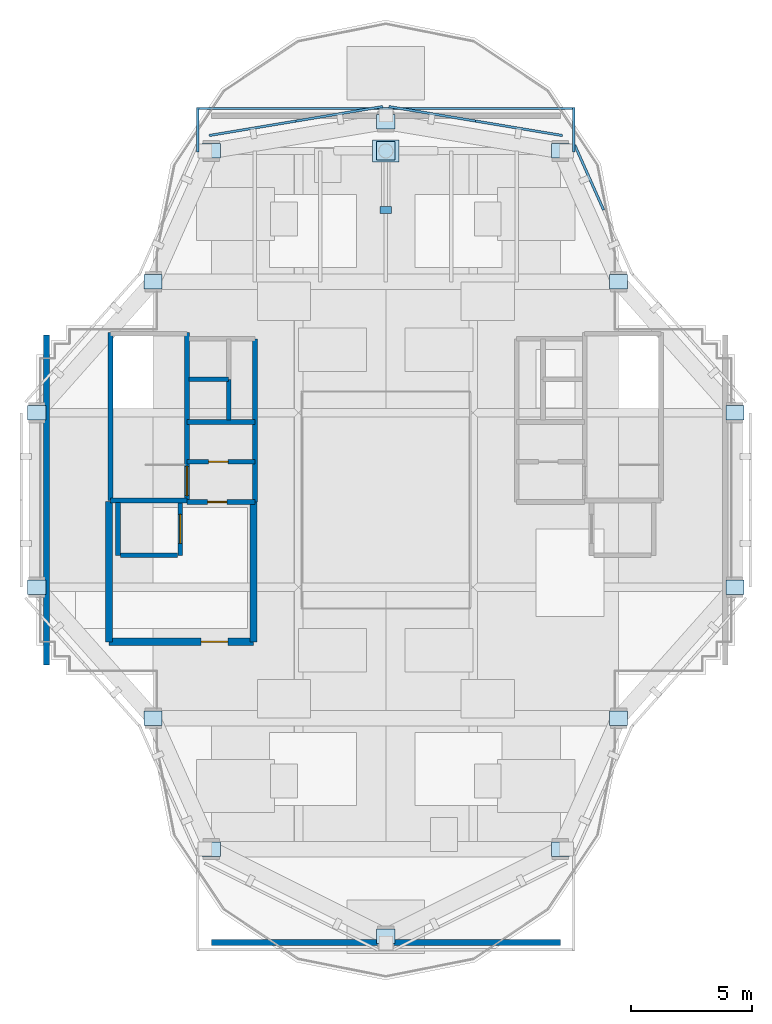
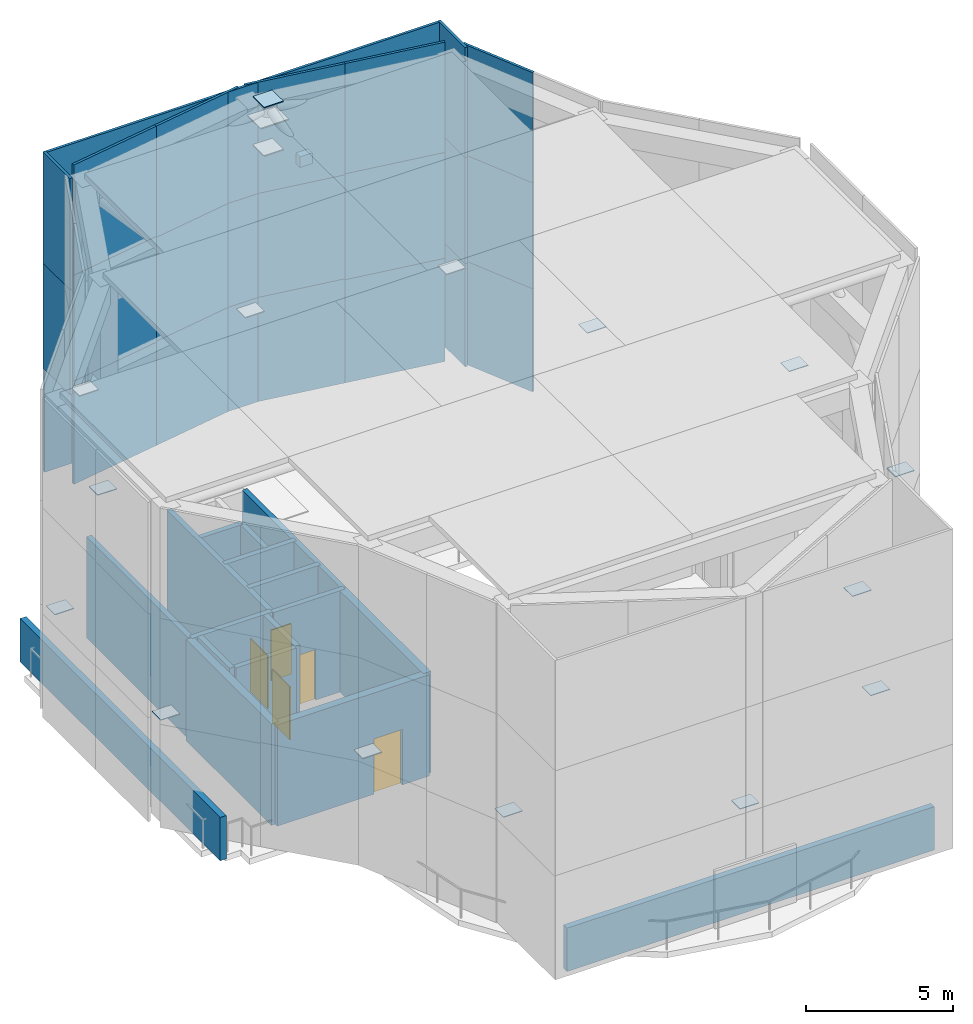
# One storey, part 4 of 8: 41 plates, 17 walls, 5 doors, 5 openings.
"""IFC4 building model written with IfcOpenShell, lengths in metres."""

from ifc_helpers import new_model, si_unit, direction, frame, frame_2d, origin, origin_2d, place, context, subcontext, project, spatial, rectangle, extrude, source, transform, mapped, material, layer, layer_set, type_object, element, fill, save


model = new_model("IFC4")

# Units and contexts
model_context = context("Model", 3, precision=1e-05, world=origin(), true_north=direction((0.0, 1.0)))
body_context = subcontext(model_context, "Body", "Model", "MODEL_VIEW")
ifc_project = project(units=[si_unit("LENGTHUNIT", "METRE"), si_unit("AREAUNIT", "SQUARE_METRE"), si_unit("VOLUMEUNIT", "CUBIC_METRE"), si_unit("PLANEANGLEUNIT", "RADIAN"), si_unit("MASSUNIT", "GRAM", prefix="KILO")], contexts=[model_context])

# Site, building, storey
site_placement = place(None, origin())
site = spatial("IfcSite", under=ifc_project, at=site_placement, CompositionType="ELEMENT")
building_placement = place(site_placement, origin())
building = spatial("IfcBuilding", under=site, at=building_placement, Name="Keilestroom Media Tower", CompositionType="ELEMENT")
storey_placement = place(building_placement, frame((0.0, 0.0, 271.60009765625)))
storey = spatial("IfcBuildingStorey", under=building, at=storey_placement, Name="Roof", CompositionType="ELEMENT", Elevation=271.60009765625)

# Plates
ifc_material_1 = material(Name="Steel S460", Category="steel")
ifc_layer_1 = layer(ifc_material_1, 0.028076171875)
ifc_layer_set_1 = layer_set([ifc_layer_1], Name="Steel S460")
plate_type_1 = type_object("IfcPlateType", Name="Structural-Gusset-And-Cap-Plate-ND-08", PredefinedType="SHEET", material=ifc_layer_set_1)
shared_shape_1 = source(origin(), body_context, "Body", "SweptSolid", [
    extrude(rectangle(XDim=0.75, YDim=0.60009765625, at=origin_2d()), origin(), (0.0, 0.0, 1.0), 0.028076171875),
])
for number, where, z_axis, x_axis, name in (
    (1, (-14.39990234375, 3.60009765625, 4.28564453125), (0.0, 0.0, 1.0), (1.0, 0.0, 0.0), "Crown Frame Node Cap ND-08 01"),
    (2, (-9.60009765625, 9.0, 4.28564453125), (0.0, 0.0, 1.0), (1.0, 0.0, 0.0), "Crown Frame Node Cap ND-08 02"),
    (3, (-7.199951171875, 14.39990234375, 4.28564453125), (0.0, 0.0, 1.0), (1.0, 0.0, 0.0), "Crown Frame Node Cap ND-08 03"),
    (4, (0.0, 15.60009765625, 4.28564453125), (0.0, 0.0, 1.0), (1.0, 0.0, 0.0), "Crown Frame Node Cap ND-08 04"),
    (5, (7.199951171875, 14.39990234375, 4.28564453125), (0.0, 0.0, 1.0), (1.0, 0.0, 0.0), "Crown Frame Node Cap ND-08 05"),
    (6, (9.60009765625, 9.0, 4.28564453125), (0.0, 0.0, 1.0), (1.0, 0.0, 0.0), "Crown Frame Node Cap ND-08 06"),
    (7, (14.39990234375, 3.60009765625, 4.28564453125), (0.0, 0.0, 1.0), (1.0, 0.0, 0.0), "Crown Frame Node Cap ND-08 07"),
    (8, (14.39990234375, -3.60009765625, 4.28564453125), (0.0, 0.0, 1.0), (1.0, 0.0, 0.0), "Crown Frame Node Cap ND-08 08"),
    (9, (9.60009765625, -9.0, 4.28564453125), (0.0, 0.0, 1.0), (1.0, 0.0, 0.0), "Crown Frame Node Cap ND-08 09"),
    (10, (7.199951171875, -14.39990234375, 4.28564453125), (0.0, 0.0, 1.0), (1.0, 0.0, 0.0), "Crown Frame Node Cap ND-08 10"),
    (11, (0.0, -18.0, 4.28564453125), (0.0, 0.0, 1.0), (1.0, 0.0, 0.0), "Crown Frame Node Cap ND-08 11"),
    (12, (-7.199951171875, -14.39990234375, 4.28564453125), (0.0, 0.0, 1.0), (1.0, 0.0, 0.0), "Crown Frame Node Cap ND-08 12"),
    (13, (-9.60009765625, -9.0, 4.28564453125), (0.0, 0.0, 1.0), (1.0, 0.0, 0.0), "Crown Frame Node Cap ND-08 13"),
    (14, (-14.39990234375, -3.60009765625, 4.28564453125), (0.0, 0.0, 1.0), (1.0, 0.0, 0.0), "Crown Frame Node Cap ND-08 14"),
):
    element("IfcPlate", number, at=place(storey_placement, frame(where, z_axis=z_axis, x_axis=x_axis)), inside=storey, type_object=plate_type_1, Name=name, PredefinedType="SHEET", context=body_context, shape_type="MappedRepresentation", body=[
        mapped(shared_shape_1, transform((0.0, 0.0, 0.0), x_axis=(1.0, 0.0, 0.0), y_axis=(0.0, 1.0, 0.0), z_axis=(0.0, 0.0, 1.0), scale=1.0)),
    ])
ifc_material_2 = material(Name="Bronze Anodised Aluminium", Category="aluminium")
ifc_layer_2 = layer(ifc_material_2, 0.10009765625)
ifc_layer_set_2 = layer_set([ifc_layer_2], Name="Bronze Anodised Aluminium")
plate_type_2 = type_object("IfcPlateType", Name="Crown-Louvre-Screen-Panel-100", PredefinedType="USERDEFINED", material=ifc_layer_set_2)
shared_shape_2 = source(origin(), body_context, "Body", "SweptSolid", [
    extrude(rectangle(XDim=2.93505859375, YDim=0.10009765625, at=origin_2d()), origin(), (0.0, 0.0, 1.0), 4.320068359375),
])
plate_1_placement = place(storey_placement, frame((8.388916015625, 13.30078125, 0.0), z_axis=(0.0, 0.0, 1.0), x_axis=(0.406138641898, -0.913811470467, 0.0)))
element("IfcPlate", 15, at=plate_1_placement, inside=storey, type_object=plate_type_2, Name="Crown Louvre Screen Panel 06.1.1", ObjectType="SCREEN", PredefinedType="USERDEFINED", context=body_context, shape_type="MappedRepresentation", body=[
    mapped(shared_shape_2, transform((0.0, 0.0, 0.0), x_axis=(1.0, 0.0, 0.0), y_axis=(0.0, 1.0, 0.0), z_axis=(0.0, 0.0, 1.0), scale=1.0)),
])
shared_shape_3 = source(origin(), body_context, "Body", "SweptSolid", [
    extrude(rectangle(XDim=2.93505859375, YDim=0.10009765625, at=origin_2d()), origin(), (0.0, 0.0, 1.0), 4.389892578125),
])
plate_2_placement = place(storey_placement, frame((8.388916015625, 13.30078125, 4.27978515625), z_axis=(0.0, 0.0, 1.0), x_axis=(0.406138641898, -0.913811470467, 0.0)))
element("IfcPlate", 16, at=plate_2_placement, inside=storey, type_object=plate_type_2, Name="Crown Louvre Screen Panel 06.1.2", ObjectType="SCREEN", PredefinedType="USERDEFINED", context=body_context, shape_type="MappedRepresentation", body=[
    mapped(shared_shape_3, transform((0.0, 0.0, 0.0), x_axis=(1.0, 0.0, 0.0), y_axis=(0.0, 1.0, 0.0), z_axis=(0.0, 0.0, 1.0), scale=1.0)),
])
shared_shape_4 = source(origin(), body_context, "Body", "SweptSolid", [
    extrude(rectangle(XDim=2.93505859375, YDim=0.10009765625, at=origin_2d()), origin(), (0.0, 0.0, 1.0), 4.610107421875),
])
plate_3_placement = place(storey_placement, frame((8.388916015625, 13.30078125, 8.6298828125), z_axis=(0.0, 0.0, 1.0), x_axis=(0.406138641898, -0.913811470467, 0.0)))
element("IfcPlate", 17, at=plate_3_placement, inside=storey, type_object=plate_type_2, Name="Crown Louvre Screen Panel 06.1.3", ObjectType="SCREEN", PredefinedType="USERDEFINED", context=body_context, shape_type="MappedRepresentation", body=[
    mapped(shared_shape_4, transform((0.0, 0.0, 0.0), x_axis=(1.0, 0.0, 0.0), y_axis=(0.0, 1.0, 0.0), z_axis=(0.0, 0.0, 1.0), scale=1.0)),
])
shared_shape_5 = source(origin(), body_context, "Body", "SweptSolid", [
    extrude(rectangle(XDim=3.6298828125, YDim=0.10009765625, at=origin_2d()), origin(), (0.0, 0.0, 1.0), 4.320068359375),
])
for number, where, z_axis, x_axis, name in (
    (18, (-5.495361328125, 15.3330078125, 0.0), (0.0, 0.0, 1.0), (0.986393987554, 0.164398604976, 0.0), "Crown Louvre Screen Panel 04.1.1"),
    (19, (-1.9150390625, 15.9296875, 0.0), (0.0, 0.0, 1.0), (0.986393987554, 0.164398604976, 0.0), "Crown Louvre Screen Panel 04.2.1"),
    (20, (1.9150390625, 15.9296875, 0.0), (0.0, 0.0, 1.0), (0.986393987554, -0.164398604976, 0.0), "Crown Louvre Screen Panel 05.1.1"),
    (21, (5.495361328125, 15.3330078125, 0.0), (0.0, 0.0, 1.0), (0.986393987554, -0.164398604976, 0.0), "Crown Louvre Screen Panel 05.2.1"),
):
    element("IfcPlate", number, at=place(storey_placement, frame(where, z_axis=z_axis, x_axis=x_axis)), inside=storey, type_object=plate_type_2, Name=name, ObjectType="SCREEN", PredefinedType="USERDEFINED", context=body_context, shape_type="MappedRepresentation", body=[
        mapped(shared_shape_5, transform((0.0, 0.0, 0.0), x_axis=(1.0, 0.0, 0.0), y_axis=(0.0, 1.0, 0.0), z_axis=(0.0, 0.0, 1.0), scale=1.0)),
    ])
shared_shape_6 = source(origin(), body_context, "Body", "SweptSolid", [
    extrude(rectangle(XDim=3.6298828125, YDim=0.10009765625, at=origin_2d()), origin(), (0.0, 0.0, 1.0), 4.389892578125),
])
for number, where, z_axis, x_axis, name in (
    (22, (-5.495361328125, 15.3330078125, 4.27978515625), (0.0, 0.0, 1.0), (0.986393987554, 0.164398604976, 0.0), "Crown Louvre Screen Panel 04.1.2"),
    (23, (-1.9150390625, 15.9296875, 4.27978515625), (0.0, 0.0, 1.0), (0.986393987554, 0.164398604976, 0.0), "Crown Louvre Screen Panel 04.2.2"),
    (24, (1.9150390625, 15.9296875, 4.27978515625), (0.0, 0.0, 1.0), (0.986393987554, -0.164398604976, 0.0), "Crown Louvre Screen Panel 05.1.2"),
    (25, (5.495361328125, 15.3330078125, 4.27978515625), (0.0, 0.0, 1.0), (0.986393987554, -0.164398604976, 0.0), "Crown Louvre Screen Panel 05.2.2"),
):
    element("IfcPlate", number, at=place(storey_placement, frame(where, z_axis=z_axis, x_axis=x_axis)), inside=storey, type_object=plate_type_2, Name=name, ObjectType="SCREEN", PredefinedType="USERDEFINED", context=body_context, shape_type="MappedRepresentation", body=[
        mapped(shared_shape_6, transform((0.0, 0.0, 0.0), x_axis=(1.0, 0.0, 0.0), y_axis=(0.0, 1.0, 0.0), z_axis=(0.0, 0.0, 1.0), scale=1.0)),
    ])
shared_shape_7 = source(origin(), body_context, "Body", "SweptSolid", [
    extrude(rectangle(XDim=3.6298828125, YDim=0.10009765625, at=origin_2d()), origin(), (0.0, 0.0, 1.0), 4.610107421875),
])
for number, where, z_axis, x_axis, name in (
    (26, (-5.495361328125, 15.3330078125, 8.6298828125), (0.0, 0.0, 1.0), (0.986393987554, 0.164398604976, 0.0), "Crown Louvre Screen Panel 04.1.3"),
    (27, (-1.9150390625, 15.9296875, 8.6298828125), (0.0, 0.0, 1.0), (0.986393987554, 0.164398604976, 0.0), "Crown Louvre Screen Panel 04.2.3"),
    (28, (1.9150390625, 15.9296875, 8.6298828125), (0.0, 0.0, 1.0), (0.986393987554, -0.164398604976, 0.0), "Crown Louvre Screen Panel 05.1.3"),
    (29, (5.495361328125, 15.3330078125, 8.6298828125), (0.0, 0.0, 1.0), (0.986393987554, -0.164398604976, 0.0), "Crown Louvre Screen Panel 05.2.3"),
):
    element("IfcPlate", number, at=place(storey_placement, frame(where, z_axis=z_axis, x_axis=x_axis)), inside=storey, type_object=plate_type_2, Name=name, ObjectType="SCREEN", PredefinedType="USERDEFINED", context=body_context, shape_type="MappedRepresentation", body=[
        mapped(shared_shape_7, transform((0.0, 0.0, 0.0), x_axis=(1.0, 0.0, 0.0), y_axis=(0.0, 1.0, 0.0), z_axis=(0.0, 0.0, 1.0), scale=1.0)),
    ])
shared_shape_8 = source(origin(), body_context, "Body", "SweptSolid", [
    extrude(rectangle(XDim=1.830078125, YDim=0.10009765625, at=origin_2d()), origin(), (0.0, 0.0, 1.0), 4.320068359375),
])
plate_4_placement = place(storey_placement, frame((7.75, 15.27490234375, 0.0), z_axis=(0.0, 0.0, 1.0), x_axis=(0.0, 1.0, 0.0)))
element("IfcPlate", 30, at=plate_4_placement, inside=storey, type_object=plate_type_2, Name="Crown Shoulder Louvre Return 2.1", ObjectType="SCREEN", PredefinedType="USERDEFINED", context=body_context, shape_type="MappedRepresentation", body=[
    mapped(shared_shape_8, transform((0.0, 0.0, 0.0), x_axis=(1.0, 0.0, 0.0), y_axis=(0.0, 1.0, 0.0), z_axis=(0.0, 0.0, 1.0), scale=1.0)),
])
shared_shape_9 = source(origin(), body_context, "Body", "SweptSolid", [
    extrude(rectangle(XDim=1.830078125, YDim=0.10009765625, at=origin_2d()), origin(), (0.0, 0.0, 1.0), 4.389892578125),
])
for number, where, z_axis, x_axis, name in (
    (31, (-7.75, 15.27490234375, 4.27978515625), (0.0, 0.0, 1.0), (0.0, 1.0, 0.0), "Crown Shoulder Louvre Return 1.2"),
    (32, (7.75, 15.27490234375, 4.27978515625), (0.0, 0.0, 1.0), (0.0, 1.0, 0.0), "Crown Shoulder Louvre Return 2.2"),
):
    element("IfcPlate", number, at=place(storey_placement, frame(where, z_axis=z_axis, x_axis=x_axis)), inside=storey, type_object=plate_type_2, Name=name, ObjectType="SCREEN", PredefinedType="USERDEFINED", context=body_context, shape_type="MappedRepresentation", body=[
        mapped(shared_shape_9, transform((0.0, 0.0, 0.0), x_axis=(1.0, 0.0, 0.0), y_axis=(0.0, 1.0, 0.0), z_axis=(0.0, 0.0, 1.0), scale=1.0)),
    ])
shared_shape_10 = source(origin(), body_context, "Body", "SweptSolid", [
    extrude(rectangle(XDim=1.830078125, YDim=0.10009765625, at=origin_2d()), origin(), (0.0, 0.0, 1.0), 4.610107421875),
])
for number, where, z_axis, x_axis, name in (
    (33, (-7.75, 15.27490234375, 8.6298828125), (0.0, 0.0, 1.0), (0.0, 1.0, 0.0), "Crown Shoulder Louvre Return 1.3"),
    (34, (7.75, 15.27490234375, 8.6298828125), (0.0, 0.0, 1.0), (0.0, 1.0, 0.0), "Crown Shoulder Louvre Return 2.3"),
):
    element("IfcPlate", number, at=place(storey_placement, frame(where, z_axis=z_axis, x_axis=x_axis)), inside=storey, type_object=plate_type_2, Name=name, ObjectType="SCREEN", PredefinedType="USERDEFINED", context=body_context, shape_type="MappedRepresentation", body=[
        mapped(shared_shape_10, transform((0.0, 0.0, 0.0), x_axis=(1.0, 0.0, 0.0), y_axis=(0.0, 1.0, 0.0), z_axis=(0.0, 0.0, 1.0), scale=1.0)),
    ])
shared_shape_11 = source(origin(), body_context, "Body", "SweptSolid", [
    extrude(rectangle(XDim=15.580078125, YDim=0.10009765625, at=origin_2d()), origin(), (0.0, 0.0, 1.0), 4.320068359375),
])
plate_5_placement = place(storey_placement, frame((0.0, 16.14990234375, 0.0), z_axis=(0.0, 0.0, 1.0), x_axis=(1.0, 0.0, 0.0)))
element("IfcPlate", 35, at=plate_5_placement, inside=storey, type_object=plate_type_2, Name="Crown Shoulder Louvre Return 5.1", ObjectType="SCREEN", PredefinedType="USERDEFINED", context=body_context, shape_type="MappedRepresentation", body=[
    mapped(shared_shape_11, transform((0.0, 0.0, 0.0), x_axis=(1.0, 0.0, 0.0), y_axis=(0.0, 1.0, 0.0), z_axis=(0.0, 0.0, 1.0), scale=1.0)),
])
shared_shape_12 = source(origin(), body_context, "Body", "SweptSolid", [
    extrude(rectangle(XDim=15.580078125, YDim=0.10009765625, at=origin_2d()), origin(), (0.0, 0.0, 1.0), 4.389892578125),
])
plate_6_placement = place(storey_placement, frame((0.0, 16.14990234375, 4.27978515625), z_axis=(0.0, 0.0, 1.0), x_axis=(1.0, 0.0, 0.0)))
element("IfcPlate", 36, at=plate_6_placement, inside=storey, type_object=plate_type_2, Name="Crown Shoulder Louvre Return 5.2", ObjectType="SCREEN", PredefinedType="USERDEFINED", context=body_context, shape_type="MappedRepresentation", body=[
    mapped(shared_shape_12, transform((0.0, 0.0, 0.0), x_axis=(1.0, 0.0, 0.0), y_axis=(0.0, 1.0, 0.0), z_axis=(0.0, 0.0, 1.0), scale=1.0)),
])
shared_shape_13 = source(origin(), body_context, "Body", "SweptSolid", [
    extrude(rectangle(XDim=15.580078125, YDim=0.10009765625, at=origin_2d()), origin(), (0.0, 0.0, 1.0), 4.610107421875),
])
plate_7_placement = place(storey_placement, frame((0.0, 16.14990234375, 8.6298828125), z_axis=(0.0, 0.0, 1.0), x_axis=(1.0, 0.0, 0.0)))
element("IfcPlate", 37, at=plate_7_placement, inside=storey, type_object=plate_type_2, Name="Crown Shoulder Louvre Return 5.3", ObjectType="SCREEN", PredefinedType="USERDEFINED", context=body_context, shape_type="MappedRepresentation", body=[
    mapped(shared_shape_13, transform((0.0, 0.0, 0.0), x_axis=(1.0, 0.0, 0.0), y_axis=(0.0, 1.0, 0.0), z_axis=(0.0, 0.0, 1.0), scale=1.0)),
])
ifc_layer_3 = layer(ifc_material_1, 0.0400390625)
ifc_layer_set_3 = layer_set([ifc_layer_3], Name="Steel S460")
plate_type_3 = type_object("IfcPlateType", Name="Broadcast-Mast-Base-Plate-1100x900x40", PredefinedType="SHEET", material=ifc_layer_set_3)
shared_shape_14 = source(origin(), body_context, "Body", "SweptSolid", [
    extrude(rectangle(XDim=1.10009765625, YDim=0.89990234375, at=origin_2d()), origin(), (0.0, 0.0, 1.0), 0.0400390625),
])
plate_8_placement = place(storey_placement, frame((0.0, 14.39990234375, 12.994873046875), z_axis=(0.0, 0.0, 1.0), x_axis=(1.0, 0.0, 0.0)))
element("IfcPlate", 38, at=plate_8_placement, inside=storey, type_object=plate_type_3, Name="Broadcast Mast Base Plate MPBP-1 on TG-RF1", PredefinedType="SHEET", context=body_context, shape_type="MappedRepresentation", body=[
    mapped(shared_shape_14, transform((0.0, 0.0, 0.0), x_axis=(1.0, 0.0, 0.0), y_axis=(0.0, 1.0, 0.0), z_axis=(0.0, 0.0, 1.0), scale=1.0)),
])
ifc_layer_4 = layer(ifc_material_1, 0.0400390625)
ifc_layer_set_4 = layer_set([ifc_layer_4], Name="Steel S460")
plate_type_4 = type_object("IfcPlateType", Name="Broadcast-Mast-End-Cap-Plate-760x760x40", PredefinedType="SHEET", material=ifc_layer_set_4)
shared_shape_15 = source(origin(), body_context, "Body", "SweptSolid", [
    extrude(rectangle(XDim=0.760009765625, YDim=0.760009765625, at=origin_2d()), origin(), (0.0, 0.0, 1.0), 0.0400390625),
])
for number, where, z_axis, x_axis, name in (
    (39, (0.0, 14.39990234375, 11.759765625), (0.0, 0.0, 1.0), (1.0, 0.0, 0.0), "Broadcast Mast Lower End Cap Plate MPBP-2B"),
    (40, (0.0, 14.39990234375, 13.759765625), (0.0, 0.0, 1.0), (1.0, 0.0, 0.0), "Broadcast Mast Pinnacle End Cap Plate MPBP-2T"),
):
    element("IfcPlate", number, at=place(storey_placement, frame(where, z_axis=z_axis, x_axis=x_axis)), inside=storey, type_object=plate_type_4, Name=name, PredefinedType="SHEET", context=body_context, shape_type="MappedRepresentation", body=[
        mapped(shared_shape_15, transform((0.0, 0.0, 0.0), x_axis=(1.0, 0.0, 0.0), y_axis=(0.0, 1.0, 0.0), z_axis=(0.0, 0.0, 1.0), scale=1.0)),
    ])
ifc_layer_5 = layer(ifc_material_1, 0.43994140625)
ifc_layer_set_5 = layer_set([ifc_layer_5], Name="Steel S460")
plate_type_5 = type_object("IfcPlateType", Name="Broadcast-Mast-Stay-Shoe-Plate-480x280x440", PredefinedType="SHEET", material=ifc_layer_set_5)
shared_shape_16 = source(origin(), body_context, "Body", "SweptSolid", [
    extrude(rectangle(XDim=0.47998046875, YDim=0.280029296875, at=origin_2d()), origin(), (0.0, 0.0, 1.0), 0.43994140625),
])
plate_9_placement = place(storey_placement, frame((0.0, 11.9599609375, 12.58984375), z_axis=(0.0, 0.0, 1.0), x_axis=(1.0, 0.0, 0.0)))
element("IfcPlate", 41, at=plate_9_placement, inside=storey, type_object=plate_type_5, Name="Broadcast Mast Stay 3 Shoe Cap Plate ND-09", PredefinedType="SHEET", context=body_context, shape_type="MappedRepresentation", body=[
    mapped(shared_shape_16, transform((0.0, 0.0, 0.0), x_axis=(1.0, 0.0, 0.0), y_axis=(0.0, 1.0, 0.0), z_axis=(0.0, 0.0, 1.0), scale=1.0)),
])

# Wall, opening, door
ifc_material_3 = material(Name="Precast concrete C40/50", Category="concrete")
ifc_layer_6 = layer(ifc_material_3, 0.300048828125)
ifc_layer_set_6 = layer_set([ifc_layer_6], Name="Precast concrete C40/50")
wall_type_1 = type_object("IfcWallType", Name="Exterior-Masonry-Spandrel-Wall-300", PredefinedType="SOLIDWALL", material=ifc_layer_set_6)
wall_1_placement = place(storey_placement, frame((-11.419921875, -5.85009765625, 0.0), z_axis=(0.0, 0.0, 1.0), x_axis=(1.0, 0.0, 0.0)))
wall_1 = element("IfcWall", 42, at=wall_1_placement, inside=storey, type_object=wall_type_1, Name="Roof Interior Wall WP-Roof-RFCTRL-WS", PredefinedType="SOLIDWALL", context=body_context, shape_type="SweptSolid", body=[
    extrude(rectangle(XDim=5.969970703125, YDim=0.300048828125, at=frame_2d((2.98486328125, 0.0))), origin(), (0.0, 0.0, 1.0), 4.199951171875),
])
opening_1_placement = place(wall_1_placement, frame((3.800048828125, 0.0, 0.0)))
opening_1 = element("IfcOpeningElement", 43, at=opening_1_placement, cuts=wall_1, Name="Opening DE-02", PredefinedType="OPENING", context=body_context, shape_type="SweptSolid", body=[
    extrude(rectangle(XDim=1.10009765625, YDim=2.300048828125, at=frame_2d((0.550048828125, 1.14990234375))), frame((0.0, 0.16015625, 0.0), z_axis=(0.0, -1.0, 0.0), x_axis=(1.0, 0.0, 0.0)), (0.0, 0.0, 1.0), 0.320068359375),
])
ifc_material_4 = material(Name="Thermally Broken Aluminium & Laminated Glass", Category="aluminium")
door_type_1 = type_object("IfcDoorType", Name="Exterior-Entrance-And-Terrace-Door-DE-02", OperationType="NOTDEFINED", PredefinedType="DOOR", material=ifc_material_4)
shared_shape_17 = source(origin(), body_context, "Body", "SweptSolid", [
    extrude(rectangle(XDim=1.10009765625, YDim=2.300048828125, at=frame_2d((0.550048828125, 1.14990234375))), frame((0.0, 0.02490234375, 0.0), z_axis=(0.0, -1.0, 0.0), x_axis=(1.0, 0.0, 0.0)), (0.0, 0.0, 1.0), 0.050048828125),
])
door_1_placement = place(opening_1_placement, frame((1.10009765625, 0.0, 0.0), z_axis=(0.0, 0.0, 1.0), x_axis=(-1.0, 0.0, 0.0)))
door_1 = element("IfcDoor", 44, at=door_1_placement, inside=storey, type_object=door_type_1, Name="Crown Terrace Access Door DE-02", OperationType="SINGLE_SWING_LEFT", OverallHeight=2.300048828125, OverallWidth=1.10009765625, PredefinedType="DOOR", context=body_context, shape_type="MappedRepresentation", body=[
    mapped(shared_shape_17, transform((0.0, 0.0, 0.0), x_axis=(1.0, 0.0, 0.0), y_axis=(0.0, 1.0, 0.0), z_axis=(0.0, 0.0, 1.0), scale=1.0)),
])
fill(opening_1, door_1)

# Walls
for number, where, z_axis, x_axis, name in (
    (45, (-11.419921875, -5.85009765625, 0.0), (0.0, 0.0, 1.0), (0.0, 1.0, 0.0), "Roof Interior Wall WP-Roof-RFCTRL-WW"),
    (46, (-5.4599609375, -5.85009765625, 0.0), (0.0, 0.0, 1.0), (0.0, 1.0, 0.0), "Roof Interior Wall WP-Roof-RFCTRL-WE"),
):
    element("IfcWall", number, at=place(storey_placement, frame(where, z_axis=z_axis, x_axis=x_axis)), inside=storey, type_object=wall_type_1, Name=name, PredefinedType="SOLIDWALL", context=body_context, shape_type="SweptSolid", body=[
        extrude(rectangle(XDim=5.7900390625, YDim=0.300048828125, at=frame_2d((2.89501953125, 0.0))), origin(), (0.0, 0.0, 1.0), 4.199951171875),
    ])
ifc_material_5 = material(Name="Concrete C50/60", Category="concrete")
ifc_layer_7 = layer(ifc_material_5, 0.199951171875)
ifc_layer_set_7 = layer_set([ifc_layer_7], Name="Concrete C50/60")
wall_type_2 = type_object("IfcWallType", Name="Reinforced-Concrete-Shaft-Wall-200", PredefinedType="SOLIDWALL", material=ifc_layer_set_7)
wall_2_placement = place(storey_placement, frame((-5.39990234375, -0.080078125, 0.0), z_axis=(0.0, 0.0, 1.0), x_axis=(0.0, 1.0, 0.0)))
element("IfcWall", 47, at=wall_2_placement, inside=storey, type_object=wall_type_2, Name="Roof Core Shear Wall WL-Roof-LMR-W-IN", PredefinedType="SOLIDWALL", context=body_context, shape_type="SweptSolid", body=[
    extrude(rectangle(XDim=6.72998046875, YDim=0.199951171875, at=frame_2d((3.364990234375, 0.0))), origin(), (0.0, 0.0, 1.0), 4.199951171875),
])

# Wall, opening, door
wall_3_placement = place(storey_placement, frame((-8.2041015625, -0.080078125, 0.0), z_axis=(0.0, 0.0, 1.0), x_axis=(1.0, 0.0, 0.0)))
wall_3 = element("IfcWall", 48, at=wall_3_placement, inside=storey, type_object=wall_type_2, Name="Roof Core Shear Wall WL-Roof-LMR-W-S", PredefinedType="SOLIDWALL", context=body_context, shape_type="SweptSolid", body=[
    extrude(rectangle(XDim=2.80419921875, YDim=0.199951171875, at=frame_2d((1.402099609375, 0.0))), origin(), (0.0, 0.0, 1.0), 4.199951171875),
])
opening_2_placement = place(wall_3_placement, frame((0.85009765625, 0.0, 0.0)))
opening_2 = element("IfcOpeningElement", 49, at=opening_2_placement, cuts=wall_3, Name="Opening DI-06", PredefinedType="OPENING", context=body_context, shape_type="SweptSolid", body=[
    extrude(rectangle(XDim=0.800048828125, YDim=2.10009765625, at=frame_2d((0.39990234375, 1.050048828125))), frame((0.0, 0.10986328125, 0.0), z_axis=(0.0, -1.0, 0.0), x_axis=(1.0, 0.0, 0.0)), (0.0, 0.0, 1.0), 0.219970703125),
])
ifc_material_6 = material(Name="Powder-Coated Steel Service Leaf", Category="steel")
door_type_2 = type_object("IfcDoorType", Name="Interior-Riser-Access-Door-DI-06", OperationType="NOTDEFINED", PredefinedType="DOOR", material=ifc_material_6)
shared_shape_18 = source(origin(), body_context, "Body", "SweptSolid", [
    extrude(rectangle(XDim=0.800048828125, YDim=2.10009765625, at=frame_2d((0.39990234375, 1.050048828125))), frame((0.0, 0.02490234375, 0.0), z_axis=(0.0, -1.0, 0.0), x_axis=(1.0, 0.0, 0.0)), (0.0, 0.0, 1.0), 0.050048828125),
])
door_2_placement = place(opening_2_placement, origin())
door_2 = element("IfcDoor", 50, at=door_2_placement, inside=storey, type_object=door_type_2, Name="Roof Control Room Access Door", OperationType="SINGLE_SWING_LEFT", OverallHeight=2.10009765625, OverallWidth=0.800048828125, PredefinedType="DOOR", context=body_context, shape_type="MappedRepresentation", body=[
    mapped(shared_shape_18, transform((0.0, 0.0, 0.0), x_axis=(1.0, 0.0, 0.0), y_axis=(0.0, 1.0, 0.0), z_axis=(0.0, 0.0, 1.0), scale=1.0)),
])
fill(opening_2, door_2)

wall_4_placement = place(storey_placement, frame((-8.2041015625, 1.580078125, 0.0), z_axis=(0.0, 0.0, 1.0), x_axis=(1.0, 0.0, 0.0)))
wall_4 = element("IfcWall", 51, at=wall_4_placement, inside=storey, type_object=wall_type_2, Name="Roof Interior Wall WL-Roof-LMR-W-M", PredefinedType="SOLIDWALL", context=body_context, shape_type="SweptSolid", body=[
    extrude(rectangle(XDim=2.80419921875, YDim=0.199951171875, at=frame_2d((1.402099609375, 0.0))), origin(), (0.0, 0.0, 1.0), 4.199951171875),
])
opening_3_placement = place(wall_4_placement, frame((0.89990234375, 0.0, 0.0)))
opening_3 = element("IfcOpeningElement", 52, at=opening_3_placement, cuts=wall_4, Name="Opening DI-06", PredefinedType="OPENING", context=body_context, shape_type="SweptSolid", body=[
    extrude(rectangle(XDim=0.800048828125, YDim=2.10009765625, at=frame_2d((0.39990234375, 1.050048828125))), frame((0.0, 0.10986328125, 0.0), z_axis=(0.0, -1.0, 0.0), x_axis=(1.0, 0.0, 0.0)), (0.0, 0.0, 1.0), 0.219970703125),
])
door_3_placement = place(opening_3_placement, origin())
door_3 = element("IfcDoor", 53, at=door_3_placement, inside=storey, type_object=door_type_2, Name="Roof West Lift Machine Room Door", OperationType="SINGLE_SWING_LEFT", OverallHeight=2.10009765625, OverallWidth=0.800048828125, PredefinedType="DOOR", context=body_context, shape_type="MappedRepresentation", body=[
    mapped(shared_shape_18, transform((0.0, 0.0, 0.0), x_axis=(1.0, 0.0, 0.0), y_axis=(0.0, 1.0, 0.0), z_axis=(0.0, 0.0, 1.0), scale=1.0)),
])
fill(opening_3, door_3)

# Wall
wall_5_placement = place(storey_placement, frame((-8.2041015625, 3.219970703125, 0.0), z_axis=(0.0, 0.0, 1.0), x_axis=(1.0, 0.0, 0.0)))
element("IfcWall", 54, at=wall_5_placement, inside=storey, type_object=wall_type_2, Name="Roof Core Shear Wall WL-Roof-LMR-W-N", PredefinedType="SOLIDWALL", context=body_context, shape_type="SweptSolid", body=[
    extrude(rectangle(XDim=2.80419921875, YDim=0.199951171875, at=frame_2d((1.402099609375, 0.0))), origin(), (0.0, 0.0, 1.0), 4.199951171875),
])

# Wall, opening, door
wall_6_placement = place(storey_placement, frame((-8.2041015625, -0.01611328125, 0.0), z_axis=(0.0, 0.0, 1.0), x_axis=(0.0, 1.0, 0.0)))
wall_6 = element("IfcWall", 55, at=wall_6_placement, inside=storey, type_object=wall_type_2, Name="Roof Core Shear Wall WL-Roof-STW-W-NEAR", PredefinedType="SOLIDWALL", context=body_context, shape_type="SweptSolid", body=[
    extrude(rectangle(XDim=6.916015625, YDim=0.199951171875, at=frame_2d((3.4580078125, 0.0))), origin(), (0.0, 0.0, 1.0), 4.199951171875),
])
opening_4_placement = place(wall_6_placement, frame((0.199951171875, 0.0, 0.0)))
opening_4 = element("IfcOpeningElement", 56, at=opening_4_placement, cuts=wall_6, Name="Opening DI-01S", PredefinedType="OPENING", context=body_context, shape_type="SweptSolid", body=[
    extrude(rectangle(XDim=1.199951171875, YDim=2.199951171875, at=frame_2d((0.60009765625, 1.10009765625))), frame((0.0, 0.10986328125, 0.0), z_axis=(0.0, -1.0, 0.0), x_axis=(1.0, 0.0, 0.0)), (0.0, 0.0, 1.0), 0.219970703125),
])
ifc_material_7 = material(Name="Powder-Coated Steel Fire Leaf", Category="steel")
door_type_3 = type_object("IfcDoorType", Name="Interior-Stair-And-Core-Fire-Door-DI-01", OperationType="NOTDEFINED", PredefinedType="DOOR", material=ifc_material_7)
shared_shape_19 = source(origin(), body_context, "Body", "SweptSolid", [
    extrude(rectangle(XDim=1.199951171875, YDim=2.199951171875, at=frame_2d((0.60009765625, 1.10009765625))), frame((0.0, 0.02490234375, 0.0), z_axis=(0.0, -1.0, 0.0), x_axis=(1.0, 0.0, 0.0)), (0.0, 0.0, 1.0), 0.050048828125),
])
door_4_placement = place(opening_4_placement, origin())
door_4 = element("IfcDoor", 57, at=door_4_placement, inside=storey, type_object=door_type_3, Name="Roof Escape Stair ST-1 Fire Door", OperationType="SINGLE_SWING_LEFT", OverallHeight=2.199951171875, OverallWidth=1.199951171875, PredefinedType="DOOR", context=body_context, shape_type="MappedRepresentation", body=[
    mapped(shared_shape_19, transform((0.0, 0.0, 0.0), x_axis=(1.0, 0.0, 0.0), y_axis=(0.0, 1.0, 0.0), z_axis=(0.0, 0.0, 1.0), scale=1.0)),
])
fill(opening_4, door_4)

# Walls
wall_7_placement = place(storey_placement, frame((-11.35595703125, -0.01611328125, 0.0), z_axis=(0.0, 0.0, 1.0), x_axis=(0.0, 1.0, 0.0)))
element("IfcWall", 58, at=wall_7_placement, inside=storey, type_object=wall_type_2, Name="Roof Core Shear Wall WL-Roof-STW-W-FAR", PredefinedType="SOLIDWALL", context=body_context, shape_type="SweptSolid", body=[
    extrude(rectangle(XDim=6.916015625, YDim=0.199951171875, at=frame_2d((3.4580078125, 0.0))), origin(), (0.0, 0.0, 1.0), 4.199951171875),
])
wall_8_placement = place(storey_placement, frame((-11.35595703125, -0.01611328125, 0.0), z_axis=(0.0, 0.0, 1.0), x_axis=(1.0, 0.0, 0.0)))
element("IfcWall", 59, at=wall_8_placement, inside=storey, type_object=wall_type_2, Name="Roof Core Shear Wall WL-Roof-STW-W-S", PredefinedType="SOLIDWALL", context=body_context, shape_type="SweptSolid", body=[
    extrude(rectangle(XDim=3.15185546875, YDim=0.199951171875, at=frame_2d((1.575927734375, 0.0))), origin(), (0.0, 0.0, 1.0), 4.199951171875),
])
wall_9_placement = place(storey_placement, frame((-11.050048828125, -2.280029296875, 0.0), z_axis=(0.0, 0.0, 1.0), x_axis=(0.0, 1.0, 0.0)))
element("IfcWall", 60, at=wall_9_placement, inside=storey, type_object=wall_type_2, Name="Roof Core Shear Wall WL-Roof-LSH-FFL-1-W", PredefinedType="SOLIDWALL", context=body_context, shape_type="SweptSolid", body=[
    extrude(rectangle(XDim=2.179931640625, YDim=0.199951171875, at=frame_2d((1.08984375, 0.0))), origin(), (0.0, 0.0, 1.0), 4.199951171875),
])

# Wall, opening, door
wall_10_placement = place(storey_placement, frame((-8.47998046875, -2.280029296875, 0.0), z_axis=(0.0, 0.0, 1.0), x_axis=(0.0, 1.0, 0.0)))
wall_10 = element("IfcWall", 61, at=wall_10_placement, inside=storey, type_object=wall_type_2, Name="Roof Core Shear Wall WL-Roof-LSH-FFL-1-E", PredefinedType="SOLIDWALL", context=body_context, shape_type="SweptSolid", body=[
    extrude(rectangle(XDim=2.179931640625, YDim=0.199951171875, at=frame_2d((1.08984375, 0.0))), origin(), (0.0, 0.0, 1.0), 4.199951171875),
])
opening_5_placement = place(wall_10_placement, frame((0.489990234375, 0.0, 0.0)))
opening_5 = element("IfcOpeningElement", 62, at=opening_5_placement, cuts=wall_10, Name="Opening LD-02", PredefinedType="OPENING", context=body_context, shape_type="SweptSolid", body=[
    extrude(rectangle(XDim=1.199951171875, YDim=2.199951171875, at=frame_2d((0.60009765625, 1.10009765625))), frame((0.0, 0.10986328125, 0.0), z_axis=(0.0, -1.0, 0.0), x_axis=(1.0, 0.0, 0.0)), (0.0, 0.0, 1.0), 0.219970703125),
])
ifc_material_8 = material(Name="Brushed Stainless Steel Sliding Leaf", Category="steel")
door_type_4 = type_object("IfcDoorType", Name="Lift-Landing-Sliding-Door-LD-02", OperationType="SLIDING_TO_RIGHT", PredefinedType="DOOR", material=ifc_material_8)
door_5_placement = place(opening_5_placement, origin())
door_5 = element("IfcDoor", 63, at=door_5_placement, inside=storey, type_object=door_type_4, Name="Roof Lift FFL-1 Landing Sliding Door", OperationType="SLIDING_TO_RIGHT", OverallHeight=2.199951171875, OverallWidth=1.199951171875, PredefinedType="DOOR", context=body_context, shape_type="MappedRepresentation", body=[
    mapped(shared_shape_19, transform((0.0, 0.0, 0.0), x_axis=(1.0, 0.0, 0.0), y_axis=(0.0, 1.0, 0.0), z_axis=(0.0, 0.0, 1.0), scale=1.0)),
])
fill(opening_5, door_5)

# Walls
wall_11_placement = place(storey_placement, frame((-10.946044921875, -2.280029296875, 0.0), z_axis=(0.0, 0.0, 1.0), x_axis=(1.0, 0.0, 0.0)))
element("IfcWall", 64, at=wall_11_placement, inside=storey, type_object=wall_type_2, Name="Roof Core Shear Wall WL-Roof-LSH-FFL-1-S", PredefinedType="SOLIDWALL", context=body_context, shape_type="SweptSolid", body=[
    extrude(rectangle(XDim=2.362060546875, YDim=0.199951171875, at=frame_2d((1.18115234375, 0.0))), origin(), (0.0, 0.0, 1.0), 4.199951171875),
])
wall_12_placement = place(storey_placement, frame((-6.47998046875, 3.300048828125, 0.0), z_axis=(0.0, 0.0, 1.0), x_axis=(0.0, 1.0, 0.0)))
element("IfcWall", 65, at=wall_12_placement, inside=storey, type_object=wall_type_2, Name="Roof Core Shear Wall WL-Roof-LSH-PL-H1-E", PredefinedType="SOLIDWALL", context=body_context, shape_type="SweptSolid", body=[
    extrude(rectangle(XDim=1.679931640625, YDim=0.199951171875, at=frame_2d((0.83984375, 0.0))), origin(), (0.0, 0.0, 1.0), 4.199951171875),
])
wall_13_placement = place(storey_placement, frame((-8.1201171875, 4.97998046875, 0.0), z_axis=(0.0, 0.0, 1.0), x_axis=(1.0, 0.0, 0.0)))
element("IfcWall", 66, at=wall_13_placement, inside=storey, type_object=wall_type_2, Name="Roof Core Shear Wall WL-Roof-LSH-PL-H1-N", PredefinedType="SOLIDWALL", context=body_context, shape_type="SweptSolid", body=[
    extrude(rectangle(XDim=1.64013671875, YDim=0.199951171875, at=frame_2d((0.820068359375, 0.0))), origin(), (0.0, 0.0, 1.0), 4.199951171875),
])
ifc_layer_8 = layer(ifc_material_3, 0.239990234375)
ifc_layer_set_8 = layer_set([ifc_layer_8], Name="Precast concrete C40/50")
wall_type_3 = type_object("IfcWallType", Name="Roof-And-Terrace-Parapet-Wall-240", PredefinedType="PARAPET", material=ifc_layer_set_8)
wall_14_placement = place(storey_placement, frame((-14.0, -6.800048828125, 0.0), z_axis=(0.0, 0.0, 1.0), x_axis=(0.0, 1.0, 0.0)))
element("IfcWall", 67, at=wall_14_placement, inside=storey, type_object=wall_type_3, Name="Roof Acoustic Parapet Wall W", PredefinedType="PARAPET", context=body_context, shape_type="SweptSolid", body=[
    extrude(rectangle(XDim=13.60009765625, YDim=0.239990234375, at=frame_2d((6.800048828125, 0.0))), origin(), (0.0, 0.0, 1.0), 1.7998046875),
])
wall_15_placement = place(storey_placement, frame((-7.199951171875, -18.25, 0.0), z_axis=(0.0, 0.0, 1.0), x_axis=(1.0, 0.0, 0.0)))
element("IfcWall", 68, at=wall_15_placement, inside=storey, type_object=wall_type_3, Name="Roof Acoustic Parapet Wall SW", PredefinedType="PARAPET", context=body_context, shape_type="SweptSolid", body=[
    extrude(rectangle(XDim=14.39990234375, YDim=0.239990234375, at=frame_2d((7.199951171875, 0.0))), origin(), (0.0, 0.0, 1.0), 1.7998046875),
])

save(model, "model.ifc")
